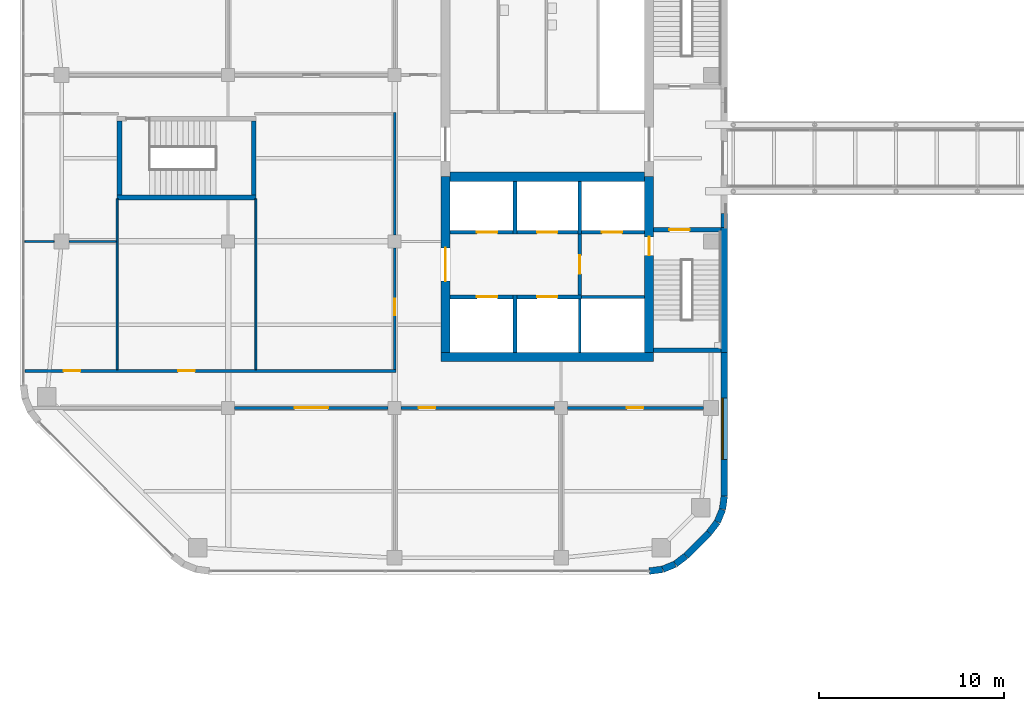
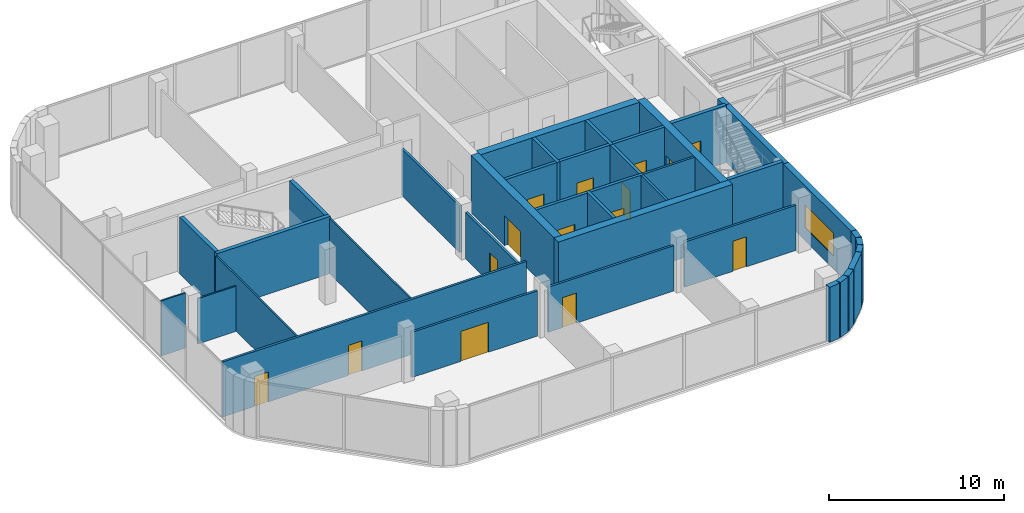
# One storey, part 15 of 24: 40 walls, 15 doors, 1 window, 16 openings.
"""IFC4 building model written with IfcOpenShell, lengths in metres."""

from ifc_helpers import new_model, si_unit, direction, frame, frame_2d, origin, place, context, subcontext, project, spatial, rectangle, extrude, material, layer, layer_set, type_object, element, fill, save


model = new_model("IFC4")

# Units and contexts
model_context = context("Model", 3, precision=1e-05, world=origin(), true_north=direction((0.0, 1.0)))
body_context = subcontext(model_context, "Body", "Model", "MODEL_VIEW")
ifc_project = project(units=[si_unit("LENGTHUNIT", "METRE"), si_unit("AREAUNIT", "SQUARE_METRE"), si_unit("VOLUMEUNIT", "CUBIC_METRE"), si_unit("PLANEANGLEUNIT", "RADIAN"), si_unit("MASSUNIT", "GRAM", prefix="KILO")], contexts=[model_context])

# Site, building, storey
site_placement = place(None, origin())
site = spatial("IfcSite", under=ifc_project, at=site_placement, CompositionType="ELEMENT")
building_placement = place(site_placement, origin())
building = spatial("IfcBuilding", under=site, at=building_placement, Name="Cinnabar Reach Civic Tower", CompositionType="ELEMENT")
storey_placement = place(building_placement, frame((0.0, 0.0, 71.0)))
storey = spatial("IfcBuildingStorey", under=building, at=storey_placement, Name="L16", CompositionType="ELEMENT", Elevation=71.0)

# Walls
ifc_material_1 = material(Name="Facing brick with insulated backing", Category="masonry")
ifc_layer_1 = layer(ifc_material_1, 0.36)
ifc_layer_set_1 = layer_set([ifc_layer_1], Name="Brick corner wall")
wall_type_1 = type_object("IfcWallType", Name="Brick corner wall", PredefinedType="STANDARD", material=ifc_layer_set_1)
for number, where, z_axis, x_axis, name in (
    (1, (-31.2314, 9.183, 0.0), (0.0, 0.0, 1.0), (0.99144092581, 0.13055608231, 0.0), "Brick corner wall"),
    (2, (-30.5027, 9.2819, 0.0), (0.0, 0.0, 1.0), (0.923871547278, 0.382702709855, 0.0), "Brick corner wall"),
):
    element("IfcWall", number, at=place(storey_placement, frame(where, z_axis=z_axis, x_axis=x_axis)), inside=storey, type_object=wall_type_1, Name=name, PredefinedType="STANDARD", context=body_context, shape_type="SweptSolid", body=[
        extrude(rectangle(XDim=0.7131, YDim=0.36, at=frame_2d((0.3565, 0.0))), origin(), (0.0, 0.0, 1.0), 3.85),
    ])
for number, where, z_axis, x_axis, name in (
    (3, (-29.8245, 9.566, 0.0), (0.0, 0.0, 1.0), (0.793321924995, 0.608802368033, 0.0), "Brick corner wall"),
    (4, (-28.0002, 11.2587, 0.0), (0.0, 0.0, 1.0), (0.608802368033, 0.793321924995, 0.0), "Brick corner wall"),
):
    element("IfcWall", number, at=place(storey_placement, frame(where, z_axis=z_axis, x_axis=x_axis)), inside=storey, type_object=wall_type_1, Name=name, PredefinedType="STANDARD", context=body_context, shape_type="SweptSolid", body=[
        extrude(rectangle(XDim=0.7132, YDim=0.36, at=frame_2d((0.3566, 0.0))), origin(), (0.0, 0.0, 1.0), 3.85),
    ])
for number, where, z_axis, x_axis, name in (
    (5, (-27.5548, 11.8439, 0.0), (0.0, 0.0, 1.0), (0.382702709855, 0.923871547278, 0.0), "Brick corner wall"),
    (6, (-27.2761, 12.5244, 0.0), (0.0, 0.0, 1.0), (0.13055608231, 0.99144092581, 0.0), "Brick corner wall"),
):
    element("IfcWall", number, at=place(storey_placement, frame(where, z_axis=z_axis, x_axis=x_axis)), inside=storey, type_object=wall_type_1, Name=name, PredefinedType="STANDARD", context=body_context, shape_type="SweptSolid", body=[
        extrude(rectangle(XDim=0.7131, YDim=0.36, at=frame_2d((0.3565, 0.0))), origin(), (0.0, 0.0, 1.0), 3.85),
    ])
ifc_layer_2 = layer(ifc_material_1, 0.36)
ifc_layer_set_2 = layer_set([ifc_layer_2], Name="Brick pier and spandrel wall")
wall_type_2 = type_object("IfcWallType", Name="Brick pier and spandrel wall", PredefinedType="STANDARD", material=ifc_layer_set_2)
wall_1_placement = place(storey_placement, frame((-29.2486, 10.006, 0.0), z_axis=(0.0, 0.0, 1.0), x_axis=(0.707106781187, 0.707106781187, 0.0)))
element("IfcWall", 7, at=wall_1_placement, inside=storey, type_object=wall_type_2, Name="Brick facade wall", PredefinedType="STANDARD", context=body_context, shape_type="SweptSolid", body=[
    extrude(rectangle(XDim=1.7573, YDim=0.36, at=frame_2d((0.8787, 0.0))), origin(), (0.0, 0.0, 1.0), 3.85),
])

# Wall, opening, window
wall_2_placement = place(storey_placement, frame((-27.18, 13.2426, 0.0), z_axis=(0.0, 0.0, 1.0), x_axis=(0.0, 1.0, 0.0)))
wall_2 = element("IfcWall", 8, at=wall_2_placement, inside=storey, type_object=wall_type_2, Name="Brick facade wall", PredefinedType="STANDARD", context=body_context, shape_type="SweptSolid", body=[
    extrude(rectangle(XDim=7.7574, YDim=0.36, at=frame_2d((3.8787, 0.0))), origin(), (0.0, 0.0, 1.0), 3.85),
])
opening_1_placement = place(wall_2_placement, frame((1.9824, 0.0, 0.9)))
opening_1 = element("IfcOpeningElement", 9, at=opening_1_placement, cuts=wall_2, Name="Opening W2568", PredefinedType="OPENING", context=body_context, shape_type="SweptSolid", body=[
    extrude(rectangle(XDim=3.3, YDim=1.6, at=frame_2d((1.65, 0.8))), frame((0.0, 0.19, 0.0), z_axis=(0.0, -1.0, 0.0), x_axis=(1.0, 0.0, 0.0)), (0.0, 0.0, 1.0), 0.38),
])
ifc_material_2 = material(Name="Clear double glazing in aluminium frame", Category="aluminium")
window_type = type_object("IfcWindowType", Name="Deep-set window A", PartitioningType="SINGLE_PANEL", PredefinedType="WINDOW", material=ifc_material_2)
window_placement = place(opening_1_placement, origin())
window = element("IfcWindow", 10, at=window_placement, inside=storey, type_object=window_type, Name="Window east face", OverallHeight=1.6, OverallWidth=3.3, PartitioningType="SINGLE_PANEL", PredefinedType="WINDOW", context=body_context, shape_type="SweptSolid", body=[
    extrude(rectangle(XDim=3.3, YDim=1.6, at=frame_2d((1.65, 0.8))), frame((0.0, 0.13, 0.0), z_axis=(0.0, -1.0, 0.0), x_axis=(1.0, 0.0, 0.0)), (0.0, 0.0, 1.0), 0.06),
])
fill(opening_1, window)

# Walls
wall_3_placement = place(storey_placement, frame((-27.18, 21.0, 0.0), z_axis=(0.0, 0.0, 1.0), x_axis=(0.0, 1.0, 0.0)))
element("IfcWall", 11, at=wall_3_placement, inside=storey, type_object=wall_type_2, Name="Brick facade wall", PredefinedType="STANDARD", context=body_context, shape_type="SweptSolid", body=[
    extrude(rectangle(XDim=6.75, YDim=0.36, at=frame_2d((3.375, 0.0))), origin(), (0.0, 0.0, 1.0), 3.85),
])
wall_4_placement = place(storey_placement, frame((-27.18, 27.75, 0.0), z_axis=(0.0, 0.0, 1.0), x_axis=(0.0, 1.0, 0.0)))
element("IfcWall", 12, at=wall_4_placement, inside=storey, type_object=wall_type_2, Name="Brick facade wall", PredefinedType="STANDARD", context=body_context, shape_type="SweptSolid", body=[
    extrude(rectangle(XDim=0.75, YDim=0.36, at=frame_2d((0.375, 0.0))), origin(), (0.0, 0.0, 1.0), 3.85),
])
ifc_material_3 = material(Name="Concrete C60", Category="concrete")
ifc_layer_3 = layer(ifc_material_3, 0.5)
ifc_layer_set_3 = layer_set([ifc_layer_3], Name="Core wall 500 EI 180")
wall_type_3 = type_object("IfcWallType", Name="Core wall 500 EI 180", PredefinedType="SOLIDWALL", material=ifc_layer_set_3)
wall_5_placement = place(storey_placement, frame((-42.5, 20.75, 0.0), z_axis=(0.0, 0.0, 1.0), x_axis=(1.0, 0.0, 0.0)))
element("IfcWall", 13, at=wall_5_placement, inside=storey, type_object=wall_type_3, Name="Core wall T2 L16 S", PredefinedType="SOLIDWALL", context=body_context, shape_type="SweptSolid", body=[
    extrude(rectangle(XDim=11.5, YDim=0.5, at=frame_2d((5.75, 0.0))), origin(), (0.0, 0.0, 1.0), 4.0),
])

# Wall, opening, door
wall_6_placement = place(storey_placement, frame((-31.25, 21.0, 0.0), z_axis=(0.0, 0.0, 1.0), x_axis=(0.0, 1.0, 0.0)))
wall_6 = element("IfcWall", 14, at=wall_6_placement, inside=storey, type_object=wall_type_3, Name="Core wall T2 L16 E", PredefinedType="SOLIDWALL", context=body_context, shape_type="SweptSolid", body=[
    extrude(rectangle(XDim=9.5, YDim=0.5, at=frame_2d((4.75, 0.0))), origin(), (0.0, 0.0, 1.0), 4.0),
])
opening_2_placement = place(wall_6_placement, frame((5.25, 0.0, 0.0)))
opening_2 = element("IfcOpeningElement", 15, at=opening_2_placement, cuts=wall_6, Name="Opening D6606", PredefinedType="OPENING", context=body_context, shape_type="SweptSolid", body=[
    extrude(rectangle(XDim=1.0, YDim=2.1, at=frame_2d((0.5, 1.05))), frame((0.0, 0.26, 0.0), z_axis=(0.0, -1.0, 0.0), x_axis=(1.0, 0.0, 0.0)), (0.0, 0.0, 1.0), 0.52),
])
ifc_material_4 = material(Name="Steel fire door", Category="steel")
door_type_1 = type_object("IfcDoorType", Name="T2 Firefighting lobby door 1000", OperationType="SINGLE_SWING_LEFT", PredefinedType="DOOR", material=ifc_material_4)
door_1_placement = place(opening_2_placement, frame((1.0, 0.0, 0.0), z_axis=(0.0, 0.0, 1.0), x_axis=(-1.0, 0.0, 0.0)))
door_1 = element("IfcDoor", 16, at=door_1_placement, inside=storey, type_object=door_type_1, Name="T2 Firefighting lobby door D6606", OperationType="SINGLE_SWING_LEFT", OverallHeight=2.1, OverallWidth=1.0, PredefinedType="DOOR", context=body_context, shape_type="SweptSolid", body=[
    extrude(rectangle(XDim=1.0, YDim=2.1, at=frame_2d((0.5, 1.05))), frame((0.0, 0.025, 0.0), z_axis=(0.0, -1.0, 0.0), x_axis=(1.0, 0.0, 0.0)), (0.0, 0.0, 1.0), 0.05),
])
fill(opening_2, door_1)

wall_7_placement = place(storey_placement, frame((-42.25, 30.5, 0.0), z_axis=(0.0, 0.0, 1.0), x_axis=(0.0, -1.0, 0.0)))
wall_7 = element("IfcWall", 17, at=wall_7_placement, inside=storey, type_object=wall_type_3, Name="Core wall T2 L16 W2", PredefinedType="SOLIDWALL", context=body_context, shape_type="SweptSolid", body=[
    extrude(rectangle(XDim=9.5, YDim=0.5, at=frame_2d((4.75, 0.0))), origin(), (0.0, 0.0, 1.0), 4.0),
])
opening_3_placement = place(wall_7_placement, frame((3.85, 0.0, 0.0)))
opening_3 = element("IfcOpeningElement", 18, at=opening_3_placement, cuts=wall_7, Name="Opening D6610", PredefinedType="OPENING", context=body_context, shape_type="SweptSolid", body=[
    extrude(rectangle(XDim=1.8, YDim=2.1, at=frame_2d((0.9, 1.05))), frame((0.0, 0.26, 0.0), z_axis=(0.0, -1.0, 0.0), x_axis=(1.0, 0.0, 0.0)), (0.0, 0.0, 1.0), 0.52),
])
door_type_2 = type_object("IfcDoorType", Name="T2 Double door 1800", OperationType="DOUBLE_DOOR_SINGLE_SWING", PredefinedType="DOOR", material=ifc_material_4)
door_2_placement = place(opening_3_placement, origin())
door_2 = element("IfcDoor", 19, at=door_2_placement, inside=storey, type_object=door_type_2, Name="T2 Double door D6610", OperationType="DOUBLE_DOOR_SINGLE_SWING", OverallHeight=2.1, OverallWidth=1.8, PredefinedType="DOOR", context=body_context, shape_type="SweptSolid", body=[
    extrude(rectangle(XDim=1.8, YDim=2.1, at=frame_2d((0.9, 1.05))), frame((0.0, 0.025, 0.0), z_axis=(0.0, -1.0, 0.0), x_axis=(1.0, 0.0, 0.0)), (0.0, 0.0, 1.0), 0.05),
])
fill(opening_3, door_2)

# Wall
wall_8_placement = place(storey_placement, frame((-42.0, 30.5, 0.0), z_axis=(0.0, 0.0, 1.0), x_axis=(1.0, 0.0, 0.0)))
element("IfcWall", 20, at=wall_8_placement, inside=storey, type_object=wall_type_3, Name="Core spine wall T2 L16", PredefinedType="SOLIDWALL", context=body_context, shape_type="SweptSolid", body=[
    extrude(rectangle(XDim=10.5, YDim=0.5, at=frame_2d((5.25, 0.0))), origin(), (0.0, 0.0, 1.0), 4.0),
])

# Wall, opening, door
ifc_material_5 = material(Name="Gypsum board on steel studs, double layer", Category="steel")
ifc_layer_4 = layer(ifc_material_5, 0.15)
ifc_layer_set_4 = layer_set([ifc_layer_4], Name="Corridor wall 150 T2")
wall_type_4 = type_object("IfcWallType", Name="Corridor wall 150 T2", PredefinedType="PARTITIONING", material=ifc_layer_set_4)
wall_9_placement = place(storey_placement, frame((-35.65, 18.0, 0.0), z_axis=(0.0, 0.0, 1.0), x_axis=(1.0, 0.0, 0.0)))
wall_9 = element("IfcWall", 21, at=wall_9_placement, inside=storey, type_object=wall_type_4, Name="Corridor wall 1", PredefinedType="PARTITIONING", context=body_context, shape_type="SweptSolid", body=[
    extrude(rectangle(XDim=7.35, YDim=0.15, at=frame_2d((3.675, 0.0))), origin(), (0.0, 0.0, 1.0), 3.158),
])
opening_4_placement = place(wall_9_placement, frame((3.2, 0.0, 0.0)))
opening_4 = element("IfcOpeningElement", 22, at=opening_4_placement, cuts=wall_9, Name="Opening D6618", PredefinedType="OPENING", context=body_context, shape_type="SweptSolid", body=[
    extrude(rectangle(XDim=0.9, YDim=2.1, at=frame_2d((0.45, 1.05))), frame((0.0, 0.085, 0.0), z_axis=(0.0, -1.0, 0.0), x_axis=(1.0, 0.0, 0.0)), (0.0, 0.0, 1.0), 0.17),
])
ifc_material_6 = material(Name="Timber door leaf in steel frame", Category="steel")
door_type_3 = type_object("IfcDoorType", Name="Single swing door 900 x 2100 T2", OperationType="SINGLE_SWING_LEFT", PredefinedType="DOOR", material=ifc_material_6)
door_3_placement = place(opening_4_placement, frame((0.9, 0.0, 0.0), z_axis=(0.0, 0.0, 1.0), x_axis=(-1.0, 0.0, 0.0)))
door_3 = element("IfcDoor", 23, at=door_3_placement, inside=storey, type_object=door_type_3, Name="Door D6618", OperationType="SINGLE_SWING_RIGHT", OverallHeight=2.1, OverallWidth=0.9, PredefinedType="DOOR", context=body_context, shape_type="SweptSolid", body=[
    extrude(rectangle(XDim=0.9, YDim=2.1, at=frame_2d((0.45, 1.05))), frame((0.0, 0.025, 0.0), z_axis=(0.0, -1.0, 0.0), x_axis=(1.0, 0.0, 0.0)), (0.0, 0.0, 1.0), 0.05),
])
fill(opening_4, door_3)

wall_10_placement = place(storey_placement, frame((-44.65, 18.0, 0.0), z_axis=(0.0, 0.0, 1.0), x_axis=(1.0, 0.0, 0.0)))
wall_10 = element("IfcWall", 24, at=wall_10_placement, inside=storey, type_object=wall_type_4, Name="Corridor wall 2", PredefinedType="PARTITIONING", context=body_context, shape_type="SweptSolid", body=[
    extrude(rectangle(XDim=8.3, YDim=0.15, at=frame_2d((4.15, 0.0))), origin(), (0.0, 0.0, 1.0), 3.158),
])
opening_5_placement = place(wall_10_placement, frame((0.95, 0.0, 0.0)))
opening_5 = element("IfcOpeningElement", 25, at=opening_5_placement, cuts=wall_10, Name="Opening D6617", PredefinedType="OPENING", context=body_context, shape_type="SweptSolid", body=[
    extrude(rectangle(XDim=0.9, YDim=2.1, at=frame_2d((0.45, 1.05))), frame((0.0, 0.085, 0.0), z_axis=(0.0, -1.0, 0.0), x_axis=(1.0, 0.0, 0.0)), (0.0, 0.0, 1.0), 0.17),
])
door_4_placement = place(opening_5_placement, frame((0.9, 0.0, 0.0), z_axis=(0.0, 0.0, 1.0), x_axis=(-1.0, 0.0, 0.0)))
door_4 = element("IfcDoor", 26, at=door_4_placement, inside=storey, type_object=door_type_3, Name="Door D6617", OperationType="SINGLE_SWING_RIGHT", OverallHeight=2.1, OverallWidth=0.9, PredefinedType="DOOR", context=body_context, shape_type="SweptSolid", body=[
    extrude(rectangle(XDim=0.9, YDim=2.1, at=frame_2d((0.45, 1.05))), frame((0.0, 0.025, 0.0), z_axis=(0.0, -1.0, 0.0), x_axis=(1.0, 0.0, 0.0)), (0.0, 0.0, 1.0), 0.05),
])
fill(opening_5, door_4)

wall_11_placement = place(storey_placement, frame((-53.65, 18.0, 0.0), z_axis=(0.0, 0.0, 1.0), x_axis=(1.0, 0.0, 0.0)))
wall_11 = element("IfcWall", 27, at=wall_11_placement, inside=storey, type_object=wall_type_4, Name="Corridor wall 3", PredefinedType="PARTITIONING", context=body_context, shape_type="SweptSolid", body=[
    extrude(rectangle(XDim=8.3, YDim=0.15, at=frame_2d((4.15, 0.0))), origin(), (0.0, 0.0, 1.0), 3.158),
])
opening_6_placement = place(wall_11_placement, frame((3.25, 0.0, 0.0)))
opening_6 = element("IfcOpeningElement", 28, at=opening_6_placement, cuts=wall_11, Name="Opening D6616", PredefinedType="OPENING", context=body_context, shape_type="SweptSolid", body=[
    extrude(rectangle(XDim=1.8, YDim=2.1, at=frame_2d((0.9, 1.05))), frame((0.0, 0.085, 0.0), z_axis=(0.0, -1.0, 0.0), x_axis=(1.0, 0.0, 0.0)), (0.0, 0.0, 1.0), 0.17),
])
door_type_4 = type_object("IfcDoorType", Name="Double swing door 1800 x 2100 T2", OperationType="DOUBLE_DOOR_DOUBLE_SWING", PredefinedType="DOOR", material=ifc_material_6)
door_5_placement = place(opening_6_placement, frame((1.8, 0.0, 0.0), z_axis=(0.0, 0.0, 1.0), x_axis=(-1.0, 0.0, 0.0)))
door_5 = element("IfcDoor", 29, at=door_5_placement, inside=storey, type_object=door_type_4, Name="Door D6616", OperationType="DOUBLE_DOOR_DOUBLE_SWING", OverallHeight=2.1, OverallWidth=1.8, PredefinedType="DOOR", context=body_context, shape_type="SweptSolid", body=[
    extrude(rectangle(XDim=1.8, YDim=2.1, at=frame_2d((0.9, 1.05))), frame((0.0, 0.025, 0.0), z_axis=(0.0, -1.0, 0.0), x_axis=(1.0, 0.0, 0.0)), (0.0, 0.0, 1.0), 0.05),
])
fill(opening_6, door_5)

# Wall, openings, doors
wall_12_placement = place(storey_placement, frame((-64.99, 20.0, 0.0), z_axis=(0.0, 0.0, 1.0), x_axis=(1.0, 0.0, 0.0)))
wall_12 = element("IfcWall", 30, at=wall_12_placement, inside=storey, type_object=wall_type_4, Name="Corridor wall 9", PredefinedType="PARTITIONING", context=body_context, shape_type="SweptSolid", body=[
    extrude(rectangle(XDim=20.065, YDim=0.15, at=frame_2d((10.0325, 0.0))), origin(), (0.0, 0.0, 1.0), 3.85),
])
opening_7_placement = place(wall_12_placement, frame((2.1, 0.0, 0.0)))
opening_7 = element("IfcOpeningElement", 31, at=opening_7_placement, cuts=wall_12, Name="Opening D6621", PredefinedType="OPENING", context=body_context, shape_type="SweptSolid", body=[
    extrude(rectangle(XDim=0.9, YDim=2.1, at=frame_2d((0.45, 1.05))), frame((0.0, 0.085, 0.0), z_axis=(0.0, -1.0, 0.0), x_axis=(1.0, 0.0, 0.0)), (0.0, 0.0, 1.0), 0.17),
])
opening_8_placement = place(wall_12_placement, frame((8.29, 0.0, 0.0)))
opening_8 = element("IfcOpeningElement", 32, at=opening_8_placement, cuts=wall_12, Name="Opening D6623", PredefinedType="OPENING", context=body_context, shape_type="SweptSolid", body=[
    extrude(rectangle(XDim=0.9, YDim=2.1, at=frame_2d((0.45, 1.05))), frame((0.0, 0.085, 0.0), z_axis=(0.0, -1.0, 0.0), x_axis=(1.0, 0.0, 0.0)), (0.0, 0.0, 1.0), 0.17),
])
door_6_placement = place(opening_7_placement, origin())
door_6 = element("IfcDoor", 33, at=door_6_placement, inside=storey, type_object=door_type_3, Name="Door D6621", OperationType="SINGLE_SWING_RIGHT", OverallHeight=2.1, OverallWidth=0.9, PredefinedType="DOOR", context=body_context, shape_type="SweptSolid", body=[
    extrude(rectangle(XDim=0.9, YDim=2.1, at=frame_2d((0.45, 1.05))), frame((0.0, 0.025, 0.0), z_axis=(0.0, -1.0, 0.0), x_axis=(1.0, 0.0, 0.0)), (0.0, 0.0, 1.0), 0.05),
])
fill(opening_7, door_6)
door_7_placement = place(opening_8_placement, origin())
door_7 = element("IfcDoor", 34, at=door_7_placement, inside=storey, type_object=door_type_3, Name="Door D6623", OperationType="SINGLE_SWING_LEFT", OverallHeight=2.1, OverallWidth=0.9, PredefinedType="DOOR", context=body_context, shape_type="SweptSolid", body=[
    extrude(rectangle(XDim=0.9, YDim=2.1, at=frame_2d((0.45, 1.05))), frame((0.0, 0.025, 0.0), z_axis=(0.0, -1.0, 0.0), x_axis=(1.0, 0.0, 0.0)), (0.0, 0.0, 1.0), 0.05),
])
fill(opening_8, door_7)

# Wall, opening, door
wall_13_placement = place(storey_placement, frame((-45.0, 20.075, 0.0), z_axis=(0.0, 0.0, 1.0), x_axis=(0.0, 1.0, 0.0)))
wall_13 = element("IfcWall", 35, at=wall_13_placement, inside=storey, type_object=wall_type_4, Name="Corridor wall 10", PredefinedType="PARTITIONING", context=body_context, shape_type="SweptSolid", body=[
    extrude(rectangle(XDim=6.575, YDim=0.15, at=frame_2d((3.2875, 0.0))), origin(), (0.0, 0.0, 1.0), 3.256),
])
opening_9_placement = place(wall_13_placement, frame((2.925, 0.0, 0.0)))
opening_9 = element("IfcOpeningElement", 36, at=opening_9_placement, cuts=wall_13, Name="Opening D6624", PredefinedType="OPENING", context=body_context, shape_type="SweptSolid", body=[
    extrude(rectangle(XDim=0.9, YDim=2.1, at=frame_2d((0.45, 1.05))), frame((0.0, 0.085, 0.0), z_axis=(0.0, -1.0, 0.0), x_axis=(1.0, 0.0, 0.0)), (0.0, 0.0, 1.0), 0.17),
])
door_8_placement = place(opening_9_placement, origin())
door_8 = element("IfcDoor", 37, at=door_8_placement, inside=storey, type_object=door_type_3, Name="Door D6624", OperationType="SINGLE_SWING_RIGHT", OverallHeight=2.1, OverallWidth=0.9, PredefinedType="DOOR", context=body_context, shape_type="SweptSolid", body=[
    extrude(rectangle(XDim=0.9, YDim=2.1, at=frame_2d((0.45, 1.05))), frame((0.0, 0.025, 0.0), z_axis=(0.0, -1.0, 0.0), x_axis=(1.0, 0.0, 0.0)), (0.0, 0.0, 1.0), 0.05),
])
fill(opening_9, door_8)

# Walls
wall_14_placement = place(storey_placement, frame((-45.0, 27.35, 0.0), z_axis=(0.0, 0.0, 1.0), x_axis=(0.0, 1.0, 0.0)))
element("IfcWall", 38, at=wall_14_placement, inside=storey, type_object=wall_type_4, Name="Corridor wall 11", PredefinedType="PARTITIONING", context=body_context, shape_type="SweptSolid", body=[
    extrude(rectangle(XDim=6.625, YDim=0.15, at=frame_2d((3.3125, 0.0))), origin(), (0.0, 0.0, 1.0), 3.256),
])
ifc_material_7 = material(Name="Gypsum board on steel studs", Category="steel")
ifc_layer_5 = layer(ifc_material_7, 0.1)
ifc_layer_set_5 = layer_set([ifc_layer_5], Name="Partition wall 100 T2")
wall_type_5 = type_object("IfcWallType", Name="Partition wall 100 T2", PredefinedType="PARTITIONING", material=ifc_layer_set_5)
for number, where, z_axis, x_axis, name in (
    (39, (-60.0, 20.075, 0.0), (0.0, 0.0, 1.0), (0.0, 1.0, 0.0), "Partition wall 16"),
    (40, (-52.5, 20.075, 0.0), (0.0, 0.0, 1.0), (0.0, 1.0, 0.0), "Partition wall 17"),
):
    element("IfcWall", number, at=place(storey_placement, frame(where, z_axis=z_axis, x_axis=x_axis)), inside=storey, type_object=wall_type_5, Name=name, PredefinedType="PARTITIONING", context=body_context, shape_type="SweptSolid", body=[
        extrude(rectangle(XDim=9.225, YDim=0.1, at=frame_2d((4.6125, 0.0))), origin(), (0.0, 0.0, 1.0), 3.85),
    ])
wall_15_placement = place(storey_placement, frame((-62.6, 27.0, 0.0), z_axis=(0.0, 0.0, 1.0), x_axis=(1.0, 0.0, 0.0)))
element("IfcWall", 41, at=wall_15_placement, inside=storey, type_object=wall_type_5, Name="Partition wall 20", PredefinedType="PARTITIONING", context=body_context, shape_type="SweptSolid", body=[
    extrude(rectangle(XDim=2.55, YDim=0.1, at=frame_2d((1.275, 0.0))), origin(), (0.0, 0.0, 1.0), 3.158),
])
wall_16_placement = place(storey_placement, frame((-64.99, 27.0, 0.0), z_axis=(0.0, 0.0, 1.0), x_axis=(1.0, 0.0, 0.0)))
element("IfcWall", 42, at=wall_16_placement, inside=storey, type_object=wall_type_5, Name="Partition wall 21", PredefinedType="PARTITIONING", context=body_context, shape_type="SweptSolid", body=[
    extrude(rectangle(XDim=1.59, YDim=0.1, at=frame_2d((0.795, 0.0))), origin(), (0.0, 0.0, 1.0), 3.85),
])
ifc_layer_6 = layer(ifc_material_3, 0.25)
ifc_layer_set_6 = layer_set([ifc_layer_6], Name="Stair shaft wall 250 EI 120")
wall_type_6 = type_object("IfcWallType", Name="Stair shaft wall 250 EI 120", PredefinedType="SOLIDWALL", material=ifc_layer_set_6)
wall_17_placement = place(storey_placement, frame((-31.0, 21.125, 0.0), z_axis=(0.0, 0.0, 1.0), x_axis=(1.0, 0.0, 0.0)))
element("IfcWall", 43, at=wall_17_placement, inside=storey, type_object=wall_type_6, Name="Stair shaft wall T2-S1 L16", PredefinedType="SOLIDWALL", context=body_context, shape_type="SweptSolid", body=[
    extrude(rectangle(XDim=3.64, YDim=0.25, at=frame_2d((1.82, 0.0))), origin(), (0.0, 0.0, 1.0), 4.0),
])

# Wall, opening, door
wall_18_placement = place(storey_placement, frame((-27.36, 27.625, 0.0), z_axis=(0.0, 0.0, 1.0), x_axis=(-1.0, 0.0, 0.0)))
wall_18 = element("IfcWall", 44, at=wall_18_placement, inside=storey, type_object=wall_type_6, Name="Stair shaft wall T2-S1 L16", PredefinedType="SOLIDWALL", context=body_context, shape_type="SweptSolid", body=[
    extrude(rectangle(XDim=3.64, YDim=0.25, at=frame_2d((1.82, 0.0))), origin(), (0.0, 0.0, 1.0), 4.0),
])
opening_10_placement = place(wall_18_placement, frame((1.69, 0.0, 0.0)))
opening_10 = element("IfcOpeningElement", 45, at=opening_10_placement, cuts=wall_18, Name="Opening D6607", PredefinedType="OPENING", context=body_context, shape_type="SweptSolid", body=[
    extrude(rectangle(XDim=1.1, YDim=2.1, at=frame_2d((0.55, 1.05))), frame((0.0, 0.135, 0.0), z_axis=(0.0, -1.0, 0.0), x_axis=(1.0, 0.0, 0.0)), (0.0, 0.0, 1.0), 0.27),
])
door_type_5 = type_object("IfcDoorType", Name="T2 Stair door 1100", OperationType="SINGLE_SWING_LEFT", PredefinedType="DOOR", material=ifc_material_4)
door_9_placement = place(opening_10_placement, origin())
door_9 = element("IfcDoor", 46, at=door_9_placement, inside=storey, type_object=door_type_5, Name="T2 Stair door D6607", OperationType="SINGLE_SWING_RIGHT", OverallHeight=2.1, OverallWidth=1.1, PredefinedType="DOOR", context=body_context, shape_type="SweptSolid", body=[
    extrude(rectangle(XDim=1.1, YDim=2.1, at=frame_2d((0.55, 1.05))), frame((0.0, 0.025, 0.0), z_axis=(0.0, -1.0, 0.0), x_axis=(1.0, 0.0, 0.0)), (0.0, 0.0, 1.0), 0.05),
])
fill(opening_10, door_9)

# Walls
wall_19_placement = place(storey_placement, frame((-60.0, 29.375, 0.0), z_axis=(0.0, 0.0, 1.0), x_axis=(1.0, 0.0, 0.0)))
element("IfcWall", 47, at=wall_19_placement, inside=storey, type_object=wall_type_6, Name="Stair shaft wall T2-S3 L16", PredefinedType="SOLIDWALL", context=body_context, shape_type="SweptSolid", body=[
    extrude(rectangle(XDim=7.5, YDim=0.25, at=frame_2d((3.75, 0.0))), origin(), (0.0, 0.0, 1.0), 4.0),
])
for number, where, z_axis, x_axis, name in (
    (48, (-52.625, 29.5, 0.0), (0.0, 0.0, 1.0), (0.0, 1.0, 0.0), "Stair shaft wall T2-S3 L16"),
    (49, (-59.875, 33.5, 0.0), (0.0, 0.0, 1.0), (0.0, -1.0, 0.0), "Stair shaft wall T2-S3 L16"),
):
    element("IfcWall", number, at=place(storey_placement, frame(where, z_axis=z_axis, x_axis=x_axis)), inside=storey, type_object=wall_type_6, Name=name, PredefinedType="SOLIDWALL", context=body_context, shape_type="SweptSolid", body=[
        extrude(rectangle(XDim=4.0, YDim=0.25, at=frame_2d((2.0, 0.0))), origin(), (0.0, 0.0, 1.0), 4.0),
    ])
ifc_material_8 = material(Name="Concrete C40", Category="concrete")
ifc_layer_7 = layer(ifc_material_8, 0.15)
ifc_layer_set_7 = layer_set([ifc_layer_7], Name="T2 Riser wall 150")
wall_type_7 = type_object("IfcWallType", Name="T2 Riser wall 150", PredefinedType="SOLIDWALL", material=ifc_layer_set_7)
wall_20_placement = place(storey_placement, frame((-35.0, 21.0, 0.0), z_axis=(0.0, 0.0, 1.0), x_axis=(0.0, 1.0, 0.0)))
element("IfcWall", 50, at=wall_20_placement, inside=storey, type_object=wall_type_7, Name="T2 Riser wall L16 010", PredefinedType="SOLIDWALL", context=body_context, shape_type="SweptSolid", body=[
    extrude(rectangle(XDim=2.9, YDim=0.15, at=frame_2d((1.45, 0.0))), origin(), (0.0, 0.0, 1.0), 4.0),
])
wall_21_placement = place(storey_placement, frame((-31.5, 24.0, 0.0), z_axis=(0.0, 0.0, 1.0), x_axis=(-1.0, 0.0, 0.0)))
element("IfcWall", 51, at=wall_21_placement, inside=storey, type_object=wall_type_7, Name="T2 Riser wall L16 011", PredefinedType="SOLIDWALL", context=body_context, shape_type="SweptSolid", body=[
    extrude(rectangle(XDim=3.4, YDim=0.15, at=frame_2d((1.7, 0.0))), origin(), (0.0, 0.0, 1.0), 4.0),
])
ifc_layer_8 = layer(ifc_material_8, 0.2)
ifc_layer_set_8 = layer_set([ifc_layer_8], Name="T2 Shaft wall 200")
wall_type_8 = type_object("IfcWallType", Name="T2 Shaft wall 200", PredefinedType="SOLIDWALL", material=ifc_layer_set_8)
wall_22_placement = place(storey_placement, frame((-38.5, 21.0, 0.0), z_axis=(0.0, 0.0, 1.0), x_axis=(0.0, 1.0, 0.0)))
element("IfcWall", 52, at=wall_22_placement, inside=storey, type_object=wall_type_8, Name="T2 Shaft wall L16 001", PredefinedType="SOLIDWALL", context=body_context, shape_type="SweptSolid", body=[
    extrude(rectangle(XDim=3.1, YDim=0.2, at=frame_2d((1.55, 0.0))), origin(), (0.0, 0.0, 1.0), 4.0),
])

# Wall, opening, door
wall_23_placement = place(storey_placement, frame((-38.6, 24.0, 0.0), z_axis=(0.0, 0.0, 1.0), x_axis=(-1.0, 0.0, 0.0)))
wall_23 = element("IfcWall", 53, at=wall_23_placement, inside=storey, type_object=wall_type_8, Name="T2 Shaft wall L16 002", PredefinedType="SOLIDWALL", context=body_context, shape_type="SweptSolid", body=[
    extrude(rectangle(XDim=3.4, YDim=0.2, at=frame_2d((1.7, 0.0))), origin(), (0.0, 0.0, 1.0), 4.0),
])
opening_11_placement = place(wall_23_placement, frame((0.85, 0.0, 0.0)))
opening_11 = element("IfcOpeningElement", 54, at=opening_11_placement, cuts=wall_23, Name="Opening D6600", PredefinedType="OPENING", context=body_context, shape_type="SweptSolid", body=[
    extrude(rectangle(XDim=1.1, YDim=2.1, at=frame_2d((0.55, 1.05))), frame((0.0, 0.11, 0.0), z_axis=(0.0, -1.0, 0.0), x_axis=(1.0, 0.0, 0.0)), (0.0, 0.0, 1.0), 0.22),
])
door_type_6 = type_object("IfcDoorType", Name="T2 Lift landing door 1100", OperationType="SLIDING_TO_LEFT", PredefinedType="DOOR", material=ifc_material_4)
door_10_placement = place(opening_11_placement, origin())
door_10 = element("IfcDoor", 55, at=door_10_placement, inside=storey, type_object=door_type_6, Name="T2 Lift landing door D6600", OperationType="SLIDING_TO_LEFT", OverallHeight=2.1, OverallWidth=1.1, PredefinedType="DOOR", context=body_context, shape_type="SweptSolid", body=[
    extrude(rectangle(XDim=1.1, YDim=2.1, at=frame_2d((0.55, 1.05))), frame((0.0, 0.025, 0.0), z_axis=(0.0, -1.0, 0.0), x_axis=(1.0, 0.0, 0.0)), (0.0, 0.0, 1.0), 0.05),
])
fill(opening_11, door_10)

wall_24_placement = place(storey_placement, frame((-34.9, 24.0, 0.0), z_axis=(0.0, 0.0, 1.0), x_axis=(-1.0, 0.0, 0.0)))
wall_24 = element("IfcWall", 56, at=wall_24_placement, inside=storey, type_object=wall_type_8, Name="T2 Shaft wall L16 003", PredefinedType="SOLIDWALL", context=body_context, shape_type="SweptSolid", body=[
    extrude(rectangle(XDim=3.5, YDim=0.2, at=frame_2d((1.75, 0.0))), origin(), (0.0, 0.0, 1.0), 4.0),
])
opening_12_placement = place(wall_24_placement, frame((1.3, 0.0, 0.0)))
opening_12 = element("IfcOpeningElement", 57, at=opening_12_placement, cuts=wall_24, Name="Opening D6601", PredefinedType="OPENING", context=body_context, shape_type="SweptSolid", body=[
    extrude(rectangle(XDim=1.1, YDim=2.1, at=frame_2d((0.55, 1.05))), frame((0.0, 0.11, 0.0), z_axis=(0.0, -1.0, 0.0), x_axis=(1.0, 0.0, 0.0)), (0.0, 0.0, 1.0), 0.22),
])
door_11_placement = place(opening_12_placement, origin())
door_11 = element("IfcDoor", 58, at=door_11_placement, inside=storey, type_object=door_type_6, Name="T2 Lift landing door D6601", OperationType="SLIDING_TO_LEFT", OverallHeight=2.1, OverallWidth=1.1, PredefinedType="DOOR", context=body_context, shape_type="SweptSolid", body=[
    extrude(rectangle(XDim=1.1, YDim=2.1, at=frame_2d((0.55, 1.05))), frame((0.0, 0.025, 0.0), z_axis=(0.0, -1.0, 0.0), x_axis=(1.0, 0.0, 0.0)), (0.0, 0.0, 1.0), 0.05),
])
fill(opening_12, door_11)

# Wall
wall_25_placement = place(storey_placement, frame((-38.5, 27.4, 0.0), z_axis=(0.0, 0.0, 1.0), x_axis=(0.0, 1.0, 0.0)))
element("IfcWall", 59, at=wall_25_placement, inside=storey, type_object=wall_type_8, Name="T2 Shaft wall L16 004", PredefinedType="SOLIDWALL", context=body_context, shape_type="SweptSolid", body=[
    extrude(rectangle(XDim=2.85, YDim=0.2, at=frame_2d((1.425, 0.0))), origin(), (0.0, 0.0, 1.0), 4.0),
])

# Wall, opening, door
wall_26_placement = place(storey_placement, frame((-42.0, 27.5, 0.0), z_axis=(0.0, 0.0, 1.0), x_axis=(1.0, 0.0, 0.0)))
wall_26 = element("IfcWall", 60, at=wall_26_placement, inside=storey, type_object=wall_type_8, Name="T2 Shaft wall L16 005", PredefinedType="SOLIDWALL", context=body_context, shape_type="SweptSolid", body=[
    extrude(rectangle(XDim=3.4, YDim=0.2, at=frame_2d((1.7, 0.0))), origin(), (0.0, 0.0, 1.0), 4.0),
])
opening_13_placement = place(wall_26_placement, frame((1.45, 0.0, 0.0)))
opening_13 = element("IfcOpeningElement", 61, at=opening_13_placement, cuts=wall_26, Name="Opening D6602", PredefinedType="OPENING", context=body_context, shape_type="SweptSolid", body=[
    extrude(rectangle(XDim=1.1, YDim=2.1, at=frame_2d((0.55, 1.05))), frame((0.0, 0.11, 0.0), z_axis=(0.0, -1.0, 0.0), x_axis=(1.0, 0.0, 0.0)), (0.0, 0.0, 1.0), 0.22),
])
door_12_placement = place(opening_13_placement, origin())
door_12 = element("IfcDoor", 62, at=door_12_placement, inside=storey, type_object=door_type_6, Name="T2 Lift landing door D6602", OperationType="SLIDING_TO_LEFT", OverallHeight=2.1, OverallWidth=1.1, PredefinedType="DOOR", context=body_context, shape_type="SweptSolid", body=[
    extrude(rectangle(XDim=1.1, YDim=2.1, at=frame_2d((0.55, 1.05))), frame((0.0, 0.025, 0.0), z_axis=(0.0, -1.0, 0.0), x_axis=(1.0, 0.0, 0.0)), (0.0, 0.0, 1.0), 0.05),
])
fill(opening_13, door_12)

# Wall
wall_27_placement = place(storey_placement, frame((-35.0, 27.4, 0.0), z_axis=(0.0, 0.0, 1.0), x_axis=(0.0, 1.0, 0.0)))
element("IfcWall", 63, at=wall_27_placement, inside=storey, type_object=wall_type_8, Name="T2 Shaft wall L16 006", PredefinedType="SOLIDWALL", context=body_context, shape_type="SweptSolid", body=[
    extrude(rectangle(XDim=2.85, YDim=0.2, at=frame_2d((1.425, 0.0))), origin(), (0.0, 0.0, 1.0), 4.0),
])

# Wall, opening, door
wall_28_placement = place(storey_placement, frame((-38.4, 27.5, 0.0), z_axis=(0.0, 0.0, 1.0), x_axis=(1.0, 0.0, 0.0)))
wall_28 = element("IfcWall", 64, at=wall_28_placement, inside=storey, type_object=wall_type_8, Name="T2 Shaft wall L16 007", PredefinedType="SOLIDWALL", context=body_context, shape_type="SweptSolid", body=[
    extrude(rectangle(XDim=3.3, YDim=0.2, at=frame_2d((1.65, 0.0))), origin(), (0.0, 0.0, 1.0), 4.0),
])
opening_14_placement = place(wall_28_placement, frame((1.1, 0.0, 0.0)))
opening_14 = element("IfcOpeningElement", 65, at=opening_14_placement, cuts=wall_28, Name="Opening D6603", PredefinedType="OPENING", context=body_context, shape_type="SweptSolid", body=[
    extrude(rectangle(XDim=1.1, YDim=2.1, at=frame_2d((0.55, 1.05))), frame((0.0, 0.11, 0.0), z_axis=(0.0, -1.0, 0.0), x_axis=(1.0, 0.0, 0.0)), (0.0, 0.0, 1.0), 0.22),
])
door_13_placement = place(opening_14_placement, origin())
door_13 = element("IfcDoor", 66, at=door_13_placement, inside=storey, type_object=door_type_6, Name="T2 Lift landing door D6603", OperationType="SLIDING_TO_LEFT", OverallHeight=2.1, OverallWidth=1.1, PredefinedType="DOOR", context=body_context, shape_type="SweptSolid", body=[
    extrude(rectangle(XDim=1.1, YDim=2.1, at=frame_2d((0.55, 1.05))), frame((0.0, 0.025, 0.0), z_axis=(0.0, -1.0, 0.0), x_axis=(1.0, 0.0, 0.0)), (0.0, 0.0, 1.0), 0.05),
])
fill(opening_14, door_13)

wall_29_placement = place(storey_placement, frame((-34.9, 27.5, 0.0), z_axis=(0.0, 0.0, 1.0), x_axis=(1.0, 0.0, 0.0)))
wall_29 = element("IfcWall", 67, at=wall_29_placement, inside=storey, type_object=wall_type_8, Name="T2 Shaft wall L16 008", PredefinedType="SOLIDWALL", context=body_context, shape_type="SweptSolid", body=[
    extrude(rectangle(XDim=3.4, YDim=0.2, at=frame_2d((1.7, 0.0))), origin(), (0.0, 0.0, 1.0), 4.0),
])
opening_15_placement = place(wall_29_placement, frame((1.1, 0.0, 0.0)))
opening_15 = element("IfcOpeningElement", 68, at=opening_15_placement, cuts=wall_29, Name="Opening D6604", PredefinedType="OPENING", context=body_context, shape_type="SweptSolid", body=[
    extrude(rectangle(XDim=1.1, YDim=2.1, at=frame_2d((0.55, 1.05))), frame((0.0, 0.11, 0.0), z_axis=(0.0, -1.0, 0.0), x_axis=(1.0, 0.0, 0.0)), (0.0, 0.0, 1.0), 0.22),
])
door_type_7 = type_object("IfcDoorType", Name="T2 Firefighting lift landing door 1100", OperationType="SLIDING_TO_LEFT", PredefinedType="DOOR", material=ifc_material_4)
door_14_placement = place(opening_15_placement, origin())
door_14 = element("IfcDoor", 69, at=door_14_placement, inside=storey, type_object=door_type_7, Name="T2 Firefighting lift landing door D6604", OperationType="SLIDING_TO_LEFT", OverallHeight=2.1, OverallWidth=1.1, PredefinedType="DOOR", context=body_context, shape_type="SweptSolid", body=[
    extrude(rectangle(XDim=1.1, YDim=2.1, at=frame_2d((0.55, 1.05))), frame((0.0, 0.025, 0.0), z_axis=(0.0, -1.0, 0.0), x_axis=(1.0, 0.0, 0.0)), (0.0, 0.0, 1.0), 0.05),
])
fill(opening_15, door_14)

wall_30_placement = place(storey_placement, frame((-35.0, 24.1, 0.0), z_axis=(0.0, 0.0, 1.0), x_axis=(0.0, 1.0, 0.0)))
wall_30 = element("IfcWall", 70, at=wall_30_placement, inside=storey, type_object=wall_type_8, Name="T2 Shaft wall L16 009", PredefinedType="SOLIDWALL", context=body_context, shape_type="SweptSolid", body=[
    extrude(rectangle(XDim=3.3, YDim=0.2, at=frame_2d((1.65, 0.0))), origin(), (0.0, 0.0, 1.0), 4.0),
])
opening_16_placement = place(wall_30_placement, frame((1.15, 0.0, 0.0)))
opening_16 = element("IfcOpeningElement", 71, at=opening_16_placement, cuts=wall_30, Name="Opening D6605", PredefinedType="OPENING", context=body_context, shape_type="SweptSolid", body=[
    extrude(rectangle(XDim=1.0, YDim=2.1, at=frame_2d((0.5, 1.05))), frame((0.0, 0.11, 0.0), z_axis=(0.0, -1.0, 0.0), x_axis=(1.0, 0.0, 0.0)), (0.0, 0.0, 1.0), 0.22),
])
door_15_placement = place(opening_16_placement, origin())
door_15 = element("IfcDoor", 72, at=door_15_placement, inside=storey, type_object=door_type_1, Name="T2 Firefighting lobby door D6605", OperationType="SINGLE_SWING_RIGHT", OverallHeight=2.1, OverallWidth=1.0, PredefinedType="DOOR", context=body_context, shape_type="SweptSolid", body=[
    extrude(rectangle(XDim=1.0, YDim=2.1, at=frame_2d((0.5, 1.05))), frame((0.0, 0.025, 0.0), z_axis=(0.0, -1.0, 0.0), x_axis=(1.0, 0.0, 0.0)), (0.0, 0.0, 1.0), 0.05),
])
fill(opening_16, door_15)

save(model, "model.ifc")
